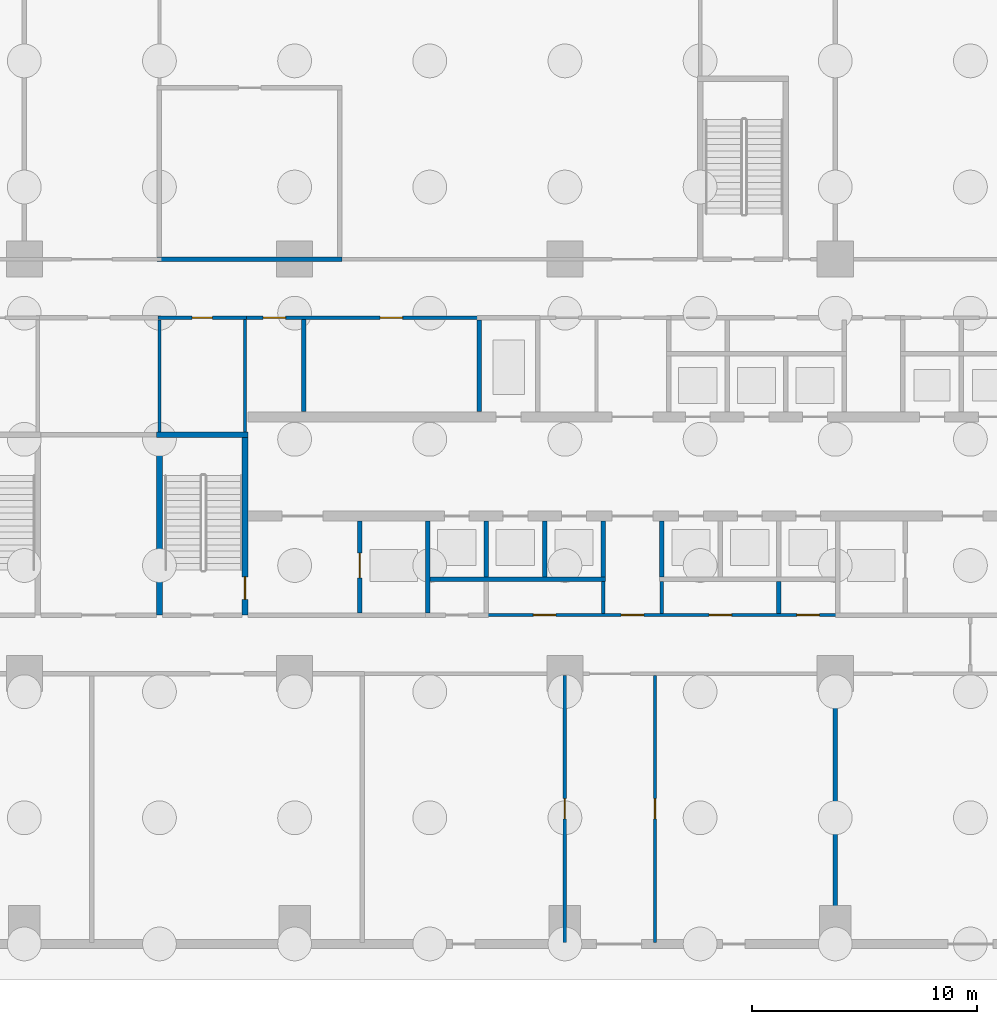
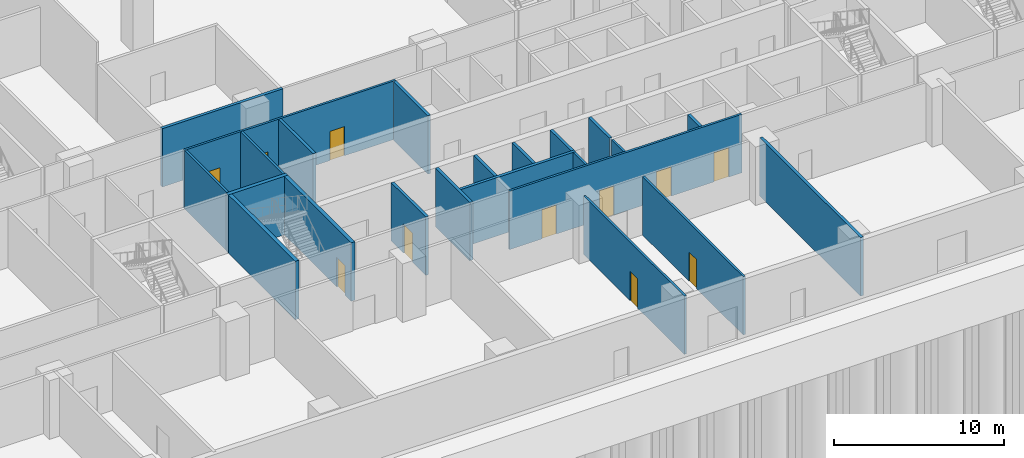
# One storey, part 15 of 27: 24 walls, 11 doors, 11 openings.
"""IFC4 building model written with IfcOpenShell, lengths in metres."""

from ifc_helpers import new_model, si_unit, direction, frame, frame_2d, origin, place, context, subcontext, project, spatial, rectangle, extrude, material, layer, layer_set, type_object, element, fill, save


model = new_model("IFC4")

# Units and contexts
model_context = context("Model", 3, precision=1e-05, world=origin(), true_north=direction((0.0, 1.0)))
body_context = subcontext(model_context, "Body", "Model", "MODEL_VIEW")
ifc_project = project(units=[si_unit("LENGTHUNIT", "METRE"), si_unit("AREAUNIT", "SQUARE_METRE"), si_unit("VOLUMEUNIT", "CUBIC_METRE"), si_unit("PLANEANGLEUNIT", "RADIAN"), si_unit("MASSUNIT", "GRAM", prefix="KILO")], contexts=[model_context])

# Site, building, storey
site_placement = place(None, origin())
site = spatial("IfcSite", under=ifc_project, at=site_placement, CompositionType="ELEMENT")
building_placement = place(site_placement, origin())
building = spatial("IfcBuilding", under=site, at=building_placement, Name="Poui Terraces", CompositionType="ELEMENT")
storey_placement = place(building_placement, origin())
storey = spatial("IfcBuildingStorey", under=building, at=storey_placement, Name="L00", CompositionType="ELEMENT", Elevation=0.0)

# Walls
ifc_material_1 = material(Name="Fire-rated masonry wall", Category="masonry")
ifc_layer_1 = layer(ifc_material_1, 0.199951171875)
ifc_layer_set_1 = layer_set([ifc_layer_1], Name="Fire-rated masonry wall")
wall_type_1 = type_object("IfcWallType", Name="COMPARTMENT WALL 200", PredefinedType="PARTITIONING", material=ifc_layer_set_1)
wall_1_placement = place(storey_placement, frame((36.39990234375, 23.635009765625, 0.0), z_axis=(0.0, 0.0, 1.0), x_axis=(0.0, 1.0, 0.0)))
element("IfcWall", 1, at=wall_1_placement, inside=storey, type_object=wall_type_1, Name="COMPARTMENT WALL 200", PredefinedType="PARTITIONING", context=body_context, shape_type="SweptSolid", body=[
    extrude(rectangle(XDim=4.090087890625, YDim=0.199951171875, at=frame_2d((2.044921875, 0.0))), origin(), (0.0, 0.0, 1.0), 4.199951171875),
])
wall_2_placement = place(storey_placement, frame((57.5, 14.675048828125, 0.0), z_axis=(0.0, 0.0, 1.0), x_axis=(0.0, 1.0, 0.0)))
element("IfcWall", 2, at=wall_2_placement, inside=storey, type_object=wall_type_1, Name="COMPARTMENT WALL 200", PredefinedType="PARTITIONING", context=body_context, shape_type="SweptSolid", body=[
    extrude(rectangle(XDim=1.425048828125, YDim=0.199951171875, at=frame_2d((0.71240234375, 0.0))), origin(), (0.0, 0.0, 1.0), 4.199951171875),
])
wall_3_placement = place(storey_placement, frame((60.0, 0.06005859375, 0.0), z_axis=(0.0, 0.0, 1.0), x_axis=(0.0, 1.0, 0.0)))
element("IfcWall", 3, at=wall_3_placement, inside=storey, type_object=wall_type_1, Name="COMPARTMENT WALL 200", PredefinedType="PARTITIONING", context=body_context, shape_type="SweptSolid", body=[
    extrude(rectangle(XDim=11.864990234375, YDim=0.199951171875, at=frame_2d((5.9326171875, 0.0))), origin(), (0.0, 0.0, 1.0), 4.199951171875),
])

# Wall, openings, doors
ifc_material_2 = material(Name="Fire-rated plasterboard wall")
ifc_layer_2 = layer(ifc_material_2, 0.14990234375)
ifc_layer_set_2 = layer_set([ifc_layer_2], Name="Fire-rated plasterboard wall")
wall_type_2 = type_object("IfcWallType", Name="CORRIDOR WALL 150", PredefinedType="PARTITIONING", material=ifc_layer_set_2)
wall_4_placement = place(storey_placement, frame((44.39990234375, 14.60009765625, 0.0), z_axis=(0.0, 0.0, 1.0), x_axis=(1.0, 0.0, 0.0)))
wall_4 = element("IfcWall", 4, at=wall_4_placement, inside=storey, type_object=wall_type_2, Name="CORRIDOR WALL 150", PredefinedType="PARTITIONING", context=body_context, shape_type="SweptSolid", body=[
    extrude(rectangle(XDim=15.800048828125, YDim=0.14990234375, at=frame_2d((7.89990234375, 0.0))), origin(), (0.0, 0.0, 1.0), 4.199951171875),
])
opening_1_placement = place(wall_4_placement, frame((2.199951171875, 0.0, 0.0)))
opening_1 = element("IfcOpeningElement", 5, at=opening_1_placement, cuts=wall_4, Name="Opening FD60", PredefinedType="OPENING", context=body_context, shape_type="SweptSolid", body=[
    extrude(rectangle(XDim=1.0, YDim=2.10009765625, at=frame_2d((0.5, 1.050048828125))), frame((0.0, 0.0849609375, 0.0), z_axis=(0.0, -1.0, 0.0), x_axis=(1.0, 0.0, 0.0)), (0.0, 0.0, 1.0), 0.169921875),
])
opening_2_placement = place(wall_4_placement, frame((6.10009765625, 0.0, 0.0)))
opening_2 = element("IfcOpeningElement", 6, at=opening_2_placement, cuts=wall_4, Name="Opening FDL", PredefinedType="OPENING", context=body_context, shape_type="SweptSolid", body=[
    extrude(rectangle(XDim=1.0, YDim=2.10009765625, at=frame_2d((0.5, 1.050048828125))), frame((0.0, 0.0849609375, 0.0), z_axis=(0.0, -1.0, 0.0), x_axis=(1.0, 0.0, 0.0)), (0.0, 0.0, 1.0), 0.169921875),
])
opening_3_placement = place(wall_4_placement, frame((10.0, 0.0, 0.0)))
opening_3 = element("IfcOpeningElement", 7, at=opening_3_placement, cuts=wall_4, Name="Opening FD60", PredefinedType="OPENING", context=body_context, shape_type="SweptSolid", body=[
    extrude(rectangle(XDim=1.0, YDim=2.10009765625, at=frame_2d((0.5, 1.050048828125))), frame((0.0, 0.0849609375, 0.0), z_axis=(0.0, -1.0, 0.0), x_axis=(1.0, 0.0, 0.0)), (0.0, 0.0, 1.0), 0.169921875),
])
opening_4_placement = place(wall_4_placement, frame((13.89990234375, 0.0, 0.0)))
opening_4 = element("IfcOpeningElement", 8, at=opening_4_placement, cuts=wall_4, Name="Opening FD60", PredefinedType="OPENING", context=body_context, shape_type="SweptSolid", body=[
    extrude(rectangle(XDim=1.0, YDim=2.10009765625, at=frame_2d((0.5, 1.050048828125))), frame((0.0, 0.0849609375, 0.0), z_axis=(0.0, -1.0, 0.0), x_axis=(1.0, 0.0, 0.0)), (0.0, 0.0, 1.0), 0.169921875),
])
ifc_material_3 = material(Name="Steel fire door", Category="steel")
door_type_1 = type_object("IfcDoorType", Name="LOBBY FIRE DOOR 1000 X 2100", OperationType="NOTDEFINED", PredefinedType="DOOR", material=ifc_material_3)
door_1_placement = place(opening_2_placement, frame((1.0, 0.0, 0.0), z_axis=(0.0, 0.0, 1.0), x_axis=(-1.0, 0.0, 0.0)))
door_1 = element("IfcDoor", 9, at=door_1_placement, inside=storey, type_object=door_type_1, Name="LOBBY FIRE DOOR 053", OperationType="SINGLE_SWING_RIGHT", OverallHeight=2.10009765625, OverallWidth=1.0, PredefinedType="DOOR", context=body_context, shape_type="SweptSolid", body=[
    extrude(rectangle(XDim=1.0, YDim=2.10009765625, at=frame_2d((0.5, 1.050048828125))), frame((0.0, 0.02490234375, 0.0), z_axis=(0.0, -1.0, 0.0), x_axis=(1.0, 0.0, 0.0)), (0.0, 0.0, 1.0), 0.050048828125),
])
fill(opening_2, door_1)
door_type_2 = type_object("IfcDoorType", Name="SERVICE ROOM FIRE DOOR 1000 X 2100", OperationType="NOTDEFINED", PredefinedType="DOOR", material=ifc_material_3)
door_2_placement = place(opening_1_placement, frame((1.0, 0.0, 0.0), z_axis=(0.0, 0.0, 1.0), x_axis=(-1.0, 0.0, 0.0)))
door_2 = element("IfcDoor", 10, at=door_2_placement, inside=storey, type_object=door_type_2, Name="SERVICE ROOM FIRE DOOR 051", OperationType="SINGLE_SWING_LEFT", OverallHeight=2.10009765625, OverallWidth=1.0, PredefinedType="DOOR", context=body_context, shape_type="SweptSolid", body=[
    extrude(rectangle(XDim=1.0, YDim=2.10009765625, at=frame_2d((0.5, 1.050048828125))), frame((0.0, 0.02490234375, 0.0), z_axis=(0.0, -1.0, 0.0), x_axis=(1.0, 0.0, 0.0)), (0.0, 0.0, 1.0), 0.050048828125),
])
fill(opening_1, door_2)
door_3_placement = place(opening_3_placement, frame((1.0, 0.0, 0.0), z_axis=(0.0, 0.0, 1.0), x_axis=(-1.0, 0.0, 0.0)))
door_3 = element("IfcDoor", 11, at=door_3_placement, inside=storey, type_object=door_type_2, Name="SERVICE ROOM FIRE DOOR 054", OperationType="SINGLE_SWING_RIGHT", OverallHeight=2.10009765625, OverallWidth=1.0, PredefinedType="DOOR", context=body_context, shape_type="SweptSolid", body=[
    extrude(rectangle(XDim=1.0, YDim=2.10009765625, at=frame_2d((0.5, 1.050048828125))), frame((0.0, 0.02490234375, 0.0), z_axis=(0.0, -1.0, 0.0), x_axis=(1.0, 0.0, 0.0)), (0.0, 0.0, 1.0), 0.050048828125),
])
fill(opening_3, door_3)
door_4_placement = place(opening_4_placement, frame((1.0, 0.0, 0.0), z_axis=(0.0, 0.0, 1.0), x_axis=(-1.0, 0.0, 0.0)))
door_4 = element("IfcDoor", 12, at=door_4_placement, inside=storey, type_object=door_type_2, Name="SERVICE ROOM FIRE DOOR 055", OperationType="SINGLE_SWING_LEFT", OverallHeight=2.10009765625, OverallWidth=1.0, PredefinedType="DOOR", context=body_context, shape_type="SweptSolid", body=[
    extrude(rectangle(XDim=1.0, YDim=2.10009765625, at=frame_2d((0.5, 1.050048828125))), frame((0.0, 0.02490234375, 0.0), z_axis=(0.0, -1.0, 0.0), x_axis=(1.0, 0.0, 0.0)), (0.0, 0.0, 1.0), 0.050048828125),
])
fill(opening_4, door_4)

wall_5_placement = place(storey_placement, frame((33.72509765625, 27.800048828125, 0.0), z_axis=(0.0, 0.0, 1.0), x_axis=(1.0, 0.0, 0.0)))
wall_5 = element("IfcWall", 13, at=wall_5_placement, inside=storey, type_object=wall_type_2, Name="CORRIDOR WALL 150", PredefinedType="PARTITIONING", context=body_context, shape_type="SweptSolid", body=[
    extrude(rectangle(XDim=10.574951171875, YDim=0.14990234375, at=frame_2d((5.28759765625, 0.0))), origin(), (0.0, 0.0, 1.0), 4.199951171875),
])
opening_5_placement = place(wall_5_placement, frame((0.875, 0.0, 0.0)))
opening_5 = element("IfcOpeningElement", 14, at=opening_5_placement, cuts=wall_5, Name="Opening FD60", PredefinedType="OPENING", context=body_context, shape_type="SweptSolid", body=[
    extrude(rectangle(XDim=1.0, YDim=2.10009765625, at=frame_2d((0.5, 1.050048828125))), frame((0.0, 0.0849609375, 0.0), z_axis=(0.0, -1.0, 0.0), x_axis=(1.0, 0.0, 0.0)), (0.0, 0.0, 1.0), 0.169921875),
])
opening_6_placement = place(wall_5_placement, frame((6.074951171875, 0.0, 0.0)))
opening_6 = element("IfcOpeningElement", 15, at=opening_6_placement, cuts=wall_5, Name="Opening FD60", PredefinedType="OPENING", context=body_context, shape_type="SweptSolid", body=[
    extrude(rectangle(XDim=1.0, YDim=2.10009765625, at=frame_2d((0.5, 1.050048828125))), frame((0.0, 0.0849609375, 0.0), z_axis=(0.0, -1.0, 0.0), x_axis=(1.0, 0.0, 0.0)), (0.0, 0.0, 1.0), 0.169921875),
])
door_5_placement = place(opening_5_placement, origin())
door_5 = element("IfcDoor", 16, at=door_5_placement, inside=storey, type_object=door_type_2, Name="SERVICE ROOM FIRE DOOR 026", OperationType="SINGLE_SWING_RIGHT", OverallHeight=2.10009765625, OverallWidth=1.0, PredefinedType="DOOR", context=body_context, shape_type="SweptSolid", body=[
    extrude(rectangle(XDim=1.0, YDim=2.10009765625, at=frame_2d((0.5, 1.050048828125))), frame((0.0, 0.02490234375, 0.0), z_axis=(0.0, -1.0, 0.0), x_axis=(1.0, 0.0, 0.0)), (0.0, 0.0, 1.0), 0.050048828125),
])
fill(opening_5, door_5)
door_6_placement = place(opening_6_placement, origin())
door_6 = element("IfcDoor", 17, at=door_6_placement, inside=storey, type_object=door_type_2, Name="SERVICE ROOM FIRE DOOR 027", OperationType="SINGLE_SWING_LEFT", OverallHeight=2.10009765625, OverallWidth=1.0, PredefinedType="DOOR", context=body_context, shape_type="SweptSolid", body=[
    extrude(rectangle(XDim=1.0, YDim=2.10009765625, at=frame_2d((0.5, 1.050048828125))), frame((0.0, 0.02490234375, 0.0), z_axis=(0.0, -1.0, 0.0), x_axis=(1.0, 0.0, 0.0)), (0.0, 0.0, 1.0), 0.050048828125),
])
fill(opening_6, door_6)

# Wall, opening, door
wall_6_placement = place(storey_placement, frame((48.0, 0.06005859375, 0.0), z_axis=(0.0, 0.0, 1.0), x_axis=(0.0, 1.0, 0.0)))
wall_6 = element("IfcWall", 18, at=wall_6_placement, inside=storey, type_object=wall_type_2, Name="CORRIDOR WALL 150", PredefinedType="PARTITIONING", context=body_context, shape_type="SweptSolid", body=[
    extrude(rectangle(XDim=11.864990234375, YDim=0.14990234375, at=frame_2d((5.9326171875, 0.0))), origin(), (0.0, 0.0, 1.0), 4.199951171875),
])
opening_7_placement = place(wall_6_placement, frame((5.489990234375, 0.0, 0.0)))
opening_7 = element("IfcOpeningElement", 19, at=opening_7_placement, cuts=wall_6, Name="Opening D90", PredefinedType="OPENING", context=body_context, shape_type="SweptSolid", body=[
    extrude(rectangle(XDim=0.89990234375, YDim=2.10009765625, at=frame_2d((0.449951171875, 1.050048828125))), frame((0.0, 0.0849609375, 0.0), z_axis=(0.0, -1.0, 0.0), x_axis=(1.0, 0.0, 0.0)), (0.0, 0.0, 1.0), 0.169921875),
])
ifc_material_4 = material(Name="Solid core timber door", Category="wood")
door_type_3 = type_object("IfcDoorType", Name="INTERNAL DOOR 900 X 2100", OperationType="NOTDEFINED", PredefinedType="DOOR", material=ifc_material_4)
door_7_placement = place(opening_7_placement, frame((0.89990234375, 0.0, 0.0), z_axis=(0.0, 0.0, 1.0), x_axis=(-1.0, 0.0, 0.0)))
door_7 = element("IfcDoor", 20, at=door_7_placement, inside=storey, type_object=door_type_3, Name="INTERNAL DOOR 004", OperationType="SINGLE_SWING_LEFT", OverallHeight=2.10009765625, OverallWidth=0.89990234375, PredefinedType="DOOR", context=body_context, shape_type="SweptSolid", body=[
    extrude(rectangle(XDim=0.89990234375, YDim=2.10009765625, at=frame_2d((0.449951171875, 1.050048828125))), frame((0.0, 0.02490234375, 0.0), z_axis=(0.0, -1.0, 0.0), x_axis=(1.0, 0.0, 0.0)), (0.0, 0.0, 1.0), 0.050048828125),
])
fill(opening_7, door_7)

# Wall
wall_7_placement = place(storey_placement, frame((49.699951171875, 14.675048828125, 0.0), z_axis=(0.0, 0.0, 1.0), x_axis=(0.0, 1.0, 0.0)))
element("IfcWall", 21, at=wall_7_placement, inside=storey, type_object=wall_type_2, Name="CORRIDOR WALL 150", PredefinedType="PARTITIONING", context=body_context, shape_type="SweptSolid", body=[
    extrude(rectangle(XDim=1.425048828125, YDim=0.14990234375, at=frame_2d((0.71240234375, 0.0))), origin(), (0.0, 0.0, 1.0), 4.199951171875),
])

# Wall, opening, door
wall_8_placement = place(storey_placement, frame((52.0, 0.06005859375, 0.0), z_axis=(0.0, 0.0, 1.0), x_axis=(0.0, 1.0, 0.0)))
wall_8 = element("IfcWall", 22, at=wall_8_placement, inside=storey, type_object=wall_type_2, Name="CORRIDOR WALL 150", PredefinedType="PARTITIONING", context=body_context, shape_type="SweptSolid", body=[
    extrude(rectangle(XDim=11.864990234375, YDim=0.14990234375, at=frame_2d((5.9326171875, 0.0))), origin(), (0.0, 0.0, 1.0), 4.199951171875),
])
opening_8_placement = place(wall_8_placement, frame((5.489990234375, 0.0, 0.0)))
opening_8 = element("IfcOpeningElement", 23, at=opening_8_placement, cuts=wall_8, Name="Opening D90", PredefinedType="OPENING", context=body_context, shape_type="SweptSolid", body=[
    extrude(rectangle(XDim=0.89990234375, YDim=2.10009765625, at=frame_2d((0.449951171875, 1.050048828125))), frame((0.0, 0.0849609375, 0.0), z_axis=(0.0, -1.0, 0.0), x_axis=(1.0, 0.0, 0.0)), (0.0, 0.0, 1.0), 0.169921875),
])
door_8_placement = place(opening_8_placement, origin())
door_8 = element("IfcDoor", 24, at=door_8_placement, inside=storey, type_object=door_type_3, Name="INTERNAL DOOR 006", OperationType="SINGLE_SWING_RIGHT", OverallHeight=2.10009765625, OverallWidth=0.89990234375, PredefinedType="DOOR", context=body_context, shape_type="SweptSolid", body=[
    extrude(rectangle(XDim=0.89990234375, YDim=2.10009765625, at=frame_2d((0.449951171875, 1.050048828125))), frame((0.0, 0.02490234375, 0.0), z_axis=(0.0, -1.0, 0.0), x_axis=(1.0, 0.0, 0.0)), (0.0, 0.0, 1.0), 0.050048828125),
])
fill(opening_8, door_8)

# Walls
wall_9_placement = place(storey_placement, frame((52.300048828125, 14.675048828125, 0.0), z_axis=(0.0, 0.0, 1.0), x_axis=(0.0, 1.0, 0.0)))
element("IfcWall", 25, at=wall_9_placement, inside=storey, type_object=wall_type_2, Name="CORRIDOR WALL 150", PredefinedType="PARTITIONING", context=body_context, shape_type="SweptSolid", body=[
    extrude(rectangle(XDim=1.425048828125, YDim=0.14990234375, at=frame_2d((0.71240234375, 0.0))), origin(), (0.0, 0.0, 1.0), 4.199951171875),
])
ifc_material_5 = material(Name="Concrete 65 MPa", Category="concrete")
ifc_layer_3 = layer(ifc_material_5, 0.199951171875)
ifc_layer_set_3 = layer_set([ifc_layer_3], Name="Concrete 65 MPa")
wall_type_3 = type_object("IfcWallType", Name="FIRE CONTROL ROOM WALL 200", PredefinedType="SOLIDWALL", material=ifc_layer_set_3)
wall_10_placement = place(storey_placement, frame((29.89990234375, 30.39990234375, 0.0), z_axis=(0.0, 0.0, 1.0), x_axis=(1.0, 0.0, 0.0)))
element("IfcWall", 26, at=wall_10_placement, inside=storey, type_object=wall_type_3, Name="FIRE CONTROL ROOM WALL 200", PredefinedType="SOLIDWALL", context=body_context, shape_type="SweptSolid", body=[
    extrude(rectangle(XDim=8.2001953125, YDim=0.199951171875, at=frame_2d((4.10009765625, 0.0))), origin(), (0.0, 0.0, 1.0), 4.199951171875),
])

# Wall, opening, door
ifc_material_6 = material(Name="Fire-rated plasterboard riser wall")
ifc_layer_4 = layer(ifc_material_6, 0.14990234375)
ifc_layer_set_4 = layer_set([ifc_layer_4], Name="Fire-rated plasterboard riser wall")
wall_type_4 = type_object("IfcWallType", Name="RISER WALL 150", PredefinedType="PARTITIONING", material=ifc_layer_set_4)
wall_11_placement = place(storey_placement, frame((29.925048828125, 27.800048828125, 0.0), z_axis=(0.0, 0.0, 1.0), x_axis=(1.0, 0.0, 0.0)))
wall_11 = element("IfcWall", 27, at=wall_11_placement, inside=storey, type_object=wall_type_4, Name="RISER WALL 150", PredefinedType="PARTITIONING", context=body_context, shape_type="SweptSolid", body=[
    extrude(rectangle(XDim=3.949951171875, YDim=0.14990234375, at=frame_2d((1.97509765625, 0.0))), origin(), (0.0, 0.0, 1.0), 4.199951171875),
])
opening_9_placement = place(wall_11_placement, frame((1.52490234375, 0.0, 0.0)))
opening_9 = element("IfcOpeningElement", 28, at=opening_9_placement, cuts=wall_11, Name="Opening FDR", PredefinedType="OPENING", context=body_context, shape_type="SweptSolid", body=[
    extrude(rectangle(XDim=0.89990234375, YDim=2.10009765625, at=frame_2d((0.449951171875, 1.050048828125))), frame((0.0, 0.0849609375, 0.0), z_axis=(0.0, -1.0, 0.0), x_axis=(1.0, 0.0, 0.0)), (0.0, 0.0, 1.0), 0.169921875),
])
door_type_4 = type_object("IfcDoorType", Name="RISER CUPBOARD DOOR 900 X 2100", OperationType="NOTDEFINED", PredefinedType="DOOR", material=ifc_material_3)
door_9_placement = place(opening_9_placement, origin())
door_9 = element("IfcDoor", 29, at=door_9_placement, inside=storey, type_object=door_type_4, Name="RISER CUPBOARD DOOR 025", OperationType="SINGLE_SWING_RIGHT", OverallHeight=2.10009765625, OverallWidth=0.89990234375, PredefinedType="DOOR", context=body_context, shape_type="SweptSolid", body=[
    extrude(rectangle(XDim=0.89990234375, YDim=2.10009765625, at=frame_2d((0.449951171875, 1.050048828125))), frame((0.0, 0.02490234375, 0.0), z_axis=(0.0, -1.0, 0.0), x_axis=(1.0, 0.0, 0.0)), (0.0, 0.0, 1.0), 0.050048828125),
])
fill(opening_9, door_9)

# Walls
wall_12_placement = place(storey_placement, frame((30.0, 22.735107421875, 0.0), z_axis=(0.0, 0.0, 1.0), x_axis=(0.0, 1.0, 0.0)))
element("IfcWall", 30, at=wall_12_placement, inside=storey, type_object=wall_type_4, Name="RISER WALL 150", PredefinedType="PARTITIONING", context=body_context, shape_type="SweptSolid", body=[
    extrude(rectangle(XDim=4.96484375, YDim=0.14990234375, at=frame_2d((2.482421875, 0.0))), origin(), (0.0, 0.0, 1.0), 4.199951171875),
])
wall_13_placement = place(storey_placement, frame((33.800048828125, 22.735107421875, 0.0), z_axis=(0.0, 0.0, 1.0), x_axis=(0.0, 1.0, 0.0)))
element("IfcWall", 31, at=wall_13_placement, inside=storey, type_object=wall_type_4, Name="RISER WALL 150", PredefinedType="PARTITIONING", context=body_context, shape_type="SweptSolid", body=[
    extrude(rectangle(XDim=4.989990234375, YDim=0.14990234375, at=frame_2d((2.4951171875, 0.0))), origin(), (0.0, 0.0, 1.0), 4.199951171875),
])
ifc_material_7 = material(Name="Fire-rated masonry shaft wall", Category="masonry")
ifc_layer_5 = layer(ifc_material_7, 0.199951171875)
ifc_layer_set_5 = layer_set([ifc_layer_5], Name="Fire-rated masonry shaft wall")
wall_type_5 = type_object("IfcWallType", Name="SHAFT WALL 200", PredefinedType="PARTITIONING", material=ifc_layer_set_5)
wall_14_placement = place(storey_placement, frame((42.0, 16.199951171875, 0.0), z_axis=(0.0, 0.0, 1.0), x_axis=(1.0, 0.0, 0.0)))
element("IfcWall", 32, at=wall_14_placement, inside=storey, type_object=wall_type_5, Name="SHAFT WALL 200", PredefinedType="PARTITIONING", context=body_context, shape_type="SweptSolid", body=[
    extrude(rectangle(XDim=7.800048828125, YDim=0.199951171875, at=frame_2d((3.89990234375, 0.0))), origin(), (0.0, 0.0, 1.0), 4.199951171875),
])

# Wall, opening, door
wall_15_placement = place(storey_placement, frame((38.89990234375, 14.699951171875, 0.0), z_axis=(0.0, 0.0, 1.0), x_axis=(0.0, 1.0, 0.0)))
wall_15 = element("IfcWall", 33, at=wall_15_placement, inside=storey, type_object=wall_type_5, Name="SHAFT WALL 200", PredefinedType="PARTITIONING", context=body_context, shape_type="SweptSolid", body=[
    extrude(rectangle(XDim=4.06494140625, YDim=0.199951171875, at=frame_2d((2.032470703125, 0.0))), origin(), (0.0, 0.0, 1.0), 4.199951171875),
])
opening_10_placement = place(wall_15_placement, frame((1.550048828125, 0.0, 0.0)))
opening_10 = element("IfcOpeningElement", 34, at=opening_10_placement, cuts=wall_15, Name="Opening LD", PredefinedType="OPENING", context=body_context, shape_type="SweptSolid", body=[
    extrude(rectangle(XDim=1.10009765625, YDim=2.10009765625, at=frame_2d((0.550048828125, 1.050048828125))), frame((0.0, 0.10986328125, 0.0), z_axis=(0.0, -1.0, 0.0), x_axis=(1.0, 0.0, 0.0)), (0.0, 0.0, 1.0), 0.219970703125),
])
ifc_material_8 = material(Name="Stainless steel sliding door", Category="steel")
door_type_5 = type_object("IfcDoorType", Name="LIFT LANDING DOOR 1100 X 2100", OperationType="DOUBLE_DOOR_SLIDING", PredefinedType="DOOR", material=ifc_material_8)
door_10_placement = place(opening_10_placement, origin())
door_10 = element("IfcDoor", 35, at=door_10_placement, inside=storey, type_object=door_type_5, Name="LANDING DOOR", OperationType="DOUBLE_DOOR_SLIDING", OverallHeight=2.10009765625, OverallWidth=1.10009765625, PredefinedType="DOOR", context=body_context, shape_type="SweptSolid", body=[
    extrude(rectangle(XDim=1.10009765625, YDim=2.10009765625, at=frame_2d((0.550048828125, 1.050048828125))), frame((0.0, 0.02490234375, 0.0), z_axis=(0.0, -1.0, 0.0), x_axis=(1.0, 0.0, 0.0)), (0.0, 0.0, 1.0), 0.050048828125),
])
fill(opening_10, door_10)

# Walls
for number, where, z_axis, x_axis, name in (
    (36, (41.89990234375, 14.699951171875, 0.0), (0.0, 0.0, 1.0), (0.0, 1.0, 0.0), "SHAFT WALL 200"),
    (37, (44.199951171875, 23.635009765625, 0.0), (0.0, 0.0, 1.0), (0.0, 1.0, 0.0), "SHAFT WALL 200"),
):
    element("IfcWall", number, at=place(storey_placement, frame(where, z_axis=z_axis, x_axis=x_axis)), inside=storey, type_object=wall_type_5, Name=name, PredefinedType="PARTITIONING", context=body_context, shape_type="SweptSolid", body=[
        extrude(rectangle(XDim=4.06494140625, YDim=0.199951171875, at=frame_2d((2.032470703125, 0.0))), origin(), (0.0, 0.0, 1.0), 4.199951171875),
    ])
for number, where, z_axis, x_axis, name in (
    (38, (44.5, 16.300048828125, 0.0), (0.0, 0.0, 1.0), (0.0, 1.0, 0.0), "SHAFT WALL 200"),
    (39, (47.10009765625, 16.300048828125, 0.0), (0.0, 0.0, 1.0), (0.0, 1.0, 0.0), "SHAFT WALL 200"),
    (40, (49.699951171875, 16.300048828125, 0.0), (0.0, 0.0, 1.0), (0.0, 1.0, 0.0), "SHAFT WALL 200"),
    (41, (52.300048828125, 16.300048828125, 0.0), (0.0, 0.0, 1.0), (0.0, 1.0, 0.0), "SHAFT WALL 200"),
):
    element("IfcWall", number, at=place(storey_placement, frame(where, z_axis=z_axis, x_axis=x_axis)), inside=storey, type_object=wall_type_5, Name=name, PredefinedType="PARTITIONING", context=body_context, shape_type="SweptSolid", body=[
        extrude(rectangle(XDim=2.46484375, YDim=0.199951171875, at=frame_2d((1.232421875, 0.0))), origin(), (0.0, 0.0, 1.0), 4.199951171875),
    ])
ifc_material_9 = material(Name="Concrete 80 MPa", Category="concrete")
ifc_layer_6 = layer(ifc_material_9, 0.25)
ifc_layer_set_6 = layer_set([ifc_layer_6], Name="Concrete 80 MPa")
wall_type_6 = type_object("IfcWallType", Name="STAIR CORE WALL 250 80 MPA", PredefinedType="SOLIDWALL", material=ifc_layer_set_6)
wall_16_placement = place(storey_placement, frame((30.0, 14.60009765625, 0.0), z_axis=(0.0, 0.0, 1.0), x_axis=(0.0, 1.0, 0.0)))
element("IfcWall", 42, at=wall_16_placement, inside=storey, type_object=wall_type_6, Name="STAIR CORE WALL", PredefinedType="SOLIDWALL", context=body_context, shape_type="SweptSolid", body=[
    extrude(rectangle(XDim=7.875, YDim=0.25, at=frame_2d((3.9375, 0.0))), origin(), (0.0, 0.0, 1.0), 4.199951171875),
])

# Wall, opening, door
wall_17_placement = place(storey_placement, frame((33.800048828125, 14.60009765625, 0.0), z_axis=(0.0, 0.0, 1.0), x_axis=(0.0, 1.0, 0.0)))
wall_17 = element("IfcWall", 43, at=wall_17_placement, inside=storey, type_object=wall_type_6, Name="STAIR CORE WALL", PredefinedType="SOLIDWALL", context=body_context, shape_type="SweptSolid", body=[
    extrude(rectangle(XDim=7.875, YDim=0.25, at=frame_2d((3.9375, 0.0))), origin(), (0.0, 0.0, 1.0), 4.199951171875),
])
opening_11_placement = place(wall_17_placement, frame((0.699951171875, 0.0, 0.0)))
opening_11 = element("IfcOpeningElement", 44, at=opening_11_placement, cuts=wall_17, Name="Opening FD60S", PredefinedType="OPENING", context=body_context, shape_type="SweptSolid", body=[
    extrude(rectangle(XDim=1.0, YDim=2.10009765625, at=frame_2d((0.5, 1.050048828125))), frame((0.0, 0.135009765625, 0.0), z_axis=(0.0, -1.0, 0.0), x_axis=(1.0, 0.0, 0.0)), (0.0, 0.0, 1.0), 0.27001953125),
])
door_type_6 = type_object("IfcDoorType", Name="STAIR DOOR 1000 X 2100", OperationType="NOTDEFINED", PredefinedType="DOOR", material=ifc_material_3)
door_11_placement = place(opening_11_placement, origin())
door_11 = element("IfcDoor", 45, at=door_11_placement, inside=storey, type_object=door_type_6, Name="STAIR DOOR 093", OperationType="SINGLE_SWING_RIGHT", OverallHeight=2.10009765625, OverallWidth=1.0, PredefinedType="DOOR", context=body_context, shape_type="SweptSolid", body=[
    extrude(rectangle(XDim=1.0, YDim=2.10009765625, at=frame_2d((0.5, 1.050048828125))), frame((0.0, 0.02490234375, 0.0), z_axis=(0.0, -1.0, 0.0), x_axis=(1.0, 0.0, 0.0)), (0.0, 0.0, 1.0), 0.050048828125),
])
fill(opening_11, door_11)

# Wall
wall_18_placement = place(storey_placement, frame((29.875, 22.60009765625, 0.0), z_axis=(0.0, 0.0, 1.0), x_axis=(1.0, 0.0, 0.0)))
element("IfcWall", 46, at=wall_18_placement, inside=storey, type_object=wall_type_6, Name="STAIR CORE WALL", PredefinedType="SOLIDWALL", context=body_context, shape_type="SweptSolid", body=[
    extrude(rectangle(XDim=4.050048828125, YDim=0.25, at=frame_2d((2.02490234375, 0.0))), origin(), (0.0, 0.0, 1.0), 4.199951171875),
])

save(model, "model.ifc")
